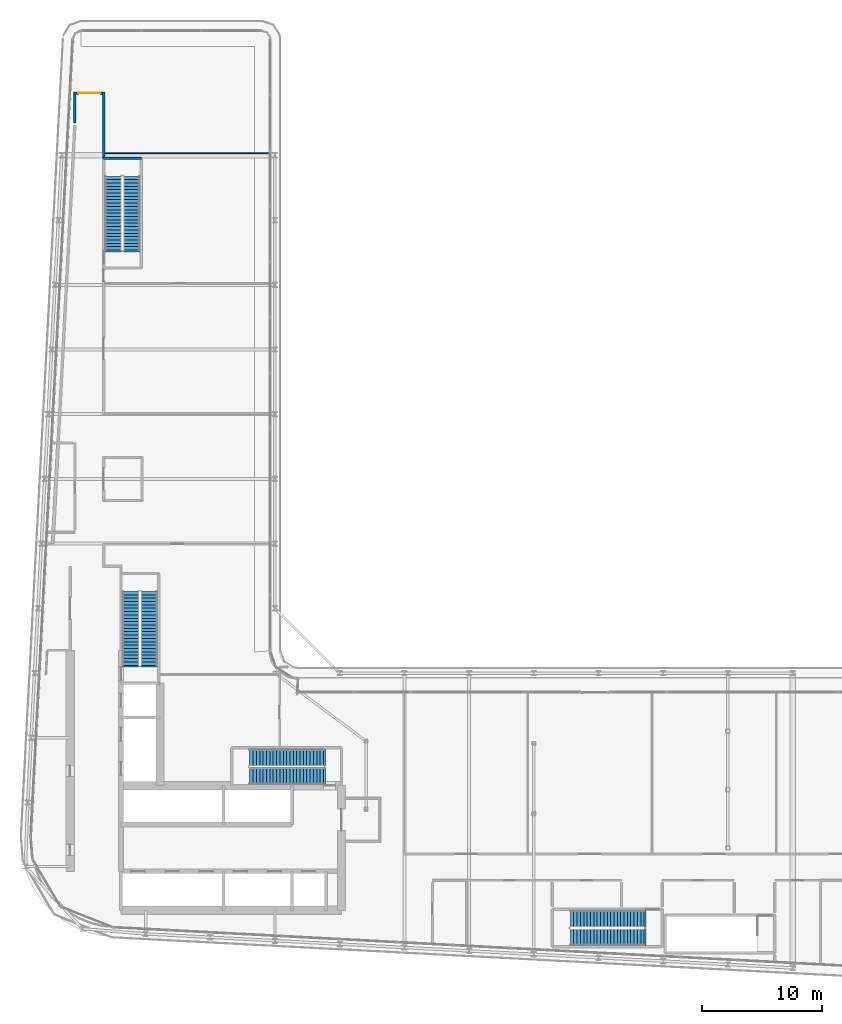
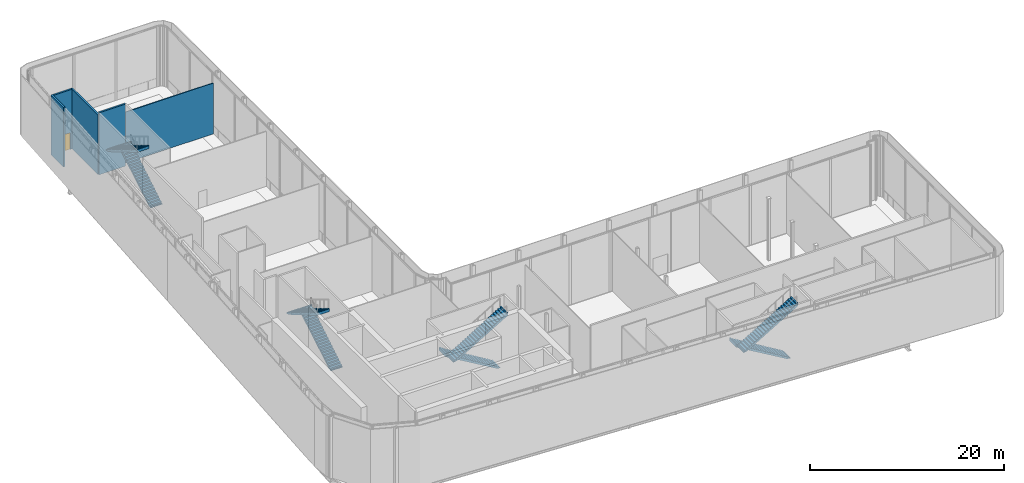
# One storey, part 31 of 38: 8 stair flights, 5 walls, 1 door, 1 opening, 4 elements without a shape of their own.
"""IFC4 building model written with IfcOpenShell, lengths in metres."""

from ifc_helpers import new_model, si_unit, direction, frame, frame_2d, origin, place, context, subcontext, project, spatial, polyline, rectangle, outline, extrude, source, transform, mapped, material, layer, layer_set, type_object, element, fill, aggregate, save


model = new_model("IFC4")

# Units and contexts
model_context = context("Model", 3, precision=1e-05, world=origin(), true_north=direction((0.0, 1.0)))
body_context = subcontext(model_context, "Body", "Model", "MODEL_VIEW")
ifc_project = project(units=[si_unit("LENGTHUNIT", "METRE"), si_unit("AREAUNIT", "SQUARE_METRE"), si_unit("VOLUMEUNIT", "CUBIC_METRE"), si_unit("PLANEANGLEUNIT", "RADIAN"), si_unit("MASSUNIT", "GRAM", prefix="KILO")], contexts=[model_context])

# Site, building, storey
site_placement = place(None, origin())
site = spatial("IfcSite", under=ifc_project, at=site_placement, CompositionType="ELEMENT")
building_placement = place(site_placement, origin())
building = spatial("IfcBuilding", under=site, at=building_placement, Name="Kheshtan School and Residences Tower", CompositionType="ELEMENT")
storey_placement = place(building_placement, frame((0.0, 0.0, 203.300048828125)))
storey = spatial("IfcBuildingStorey", under=building, at=storey_placement, Name="L48", CompositionType="ELEMENT", Elevation=203.300048828125)

# Wall
ifc_material_1 = material(Name="Gypsum board on steel studs with fire boards", Category="steel")
ifc_layer_1 = layer(ifc_material_1, 0.199951171875)
ifc_layer_set_1 = layer_set([ifc_layer_1], Name="Corridor wall 200")
wall_type_1 = type_object("IfcWallType", Name="Corridor wall 200", PredefinedType="PARTITIONING", material=ifc_layer_set_1)
wall_1_placement = place(storey_placement, frame((30.89990234375, 91.511962890625, 0.0), z_axis=(0.0, 0.0, 1.0), x_axis=(0.0, 1.0, 0.0)))
element("IfcWall", 1, at=wall_1_placement, inside=storey, type_object=wall_type_1, Name="Partition L48-008", PredefinedType="PARTITIONING", context=body_context, shape_type="SweptSolid", body=[
    extrude(rectangle(XDim=2.588134765625, YDim=0.199951171875, at=frame_2d((1.2939453125, 0.0))), origin(), (0.0, 0.0, 1.0), 7.5),
])

# Wall, opening, door
wall_2_placement = place(storey_placement, frame((31.0, 94.0, 0.0), z_axis=(0.0, 0.0, 1.0), x_axis=(1.0, 0.0, 0.0)))
wall_2 = element("IfcWall", 2, at=wall_2_placement, inside=storey, type_object=wall_type_1, Name="Partition L48-009", PredefinedType="PARTITIONING", context=body_context, shape_type="SweptSolid", body=[
    extrude(rectangle(XDim=2.199951171875, YDim=0.199951171875, at=frame_2d((1.10009765625, 0.0))), origin(), (0.0, 0.0, 1.0), 7.5),
])
opening_placement = place(wall_2_placement, frame((0.197998046875, 0.0, 0.0)))
opening = element("IfcOpeningElement", 3, at=opening_placement, cuts=wall_2, Name="Opening D48-011", PredefinedType="OPENING", context=body_context, shape_type="SweptSolid", body=[
    extrude(rectangle(XDim=1.800048828125, YDim=2.10009765625, at=frame_2d((0.89990234375, 1.050048828125))), frame((0.0, 0.10986328125, 0.0), z_axis=(0.0, -1.0, 0.0), x_axis=(1.0, 0.0, 0.0)), (0.0, 0.0, 1.0), 0.219970703125),
])
ifc_material_2 = material(Name="Steel-framed fire-resisting door leaf", Category="steel")
door_type = type_object("IfcDoorType", Name="Fire double door FD60 1800 x 2100", OperationType="DOUBLE_DOOR_SINGLE_SWING", PredefinedType="DOOR", material=ifc_material_2)
shared_shape = source(origin(), body_context, "Body", "SweptSolid", [
    extrude(rectangle(XDim=1.800048828125, YDim=2.10009765625, at=frame_2d((0.89990234375, 1.050048828125))), frame((0.0, 0.02490234375, 0.0), z_axis=(0.0, -1.0, 0.0), x_axis=(1.0, 0.0, 0.0)), (0.0, 0.0, 1.0), 0.050048828125),
])
door_placement = place(opening_placement, origin())
door = element("IfcDoor", 4, at=door_placement, inside=storey, type_object=door_type, Name="Door D48-011", OperationType="DOUBLE_DOOR_SINGLE_SWING", OverallHeight=2.10009765625, OverallWidth=1.800048828125, PredefinedType="DOOR", context=body_context, shape_type="MappedRepresentation", body=[
    mapped(shared_shape, transform((0.0, 0.0, 0.0), x_axis=(1.0, 0.0, 0.0), y_axis=(0.0, 1.0, 0.0), z_axis=(0.0, 0.0, 1.0), scale=1.0)),
])
fill(opening, door)

# Walls
wall_3_placement = place(storey_placement, frame((33.300048828125, 88.56005859375, 0.0), z_axis=(0.0, 0.0, 1.0), x_axis=(0.0, 1.0, 0.0)))
element("IfcWall", 5, at=wall_3_placement, inside=storey, type_object=wall_type_1, Name="Partition L48-013", PredefinedType="PARTITIONING", context=body_context, shape_type="SweptSolid", body=[
    extrude(rectangle(XDim=5.5400390625, YDim=0.199951171875, at=frame_2d((2.77001953125, 0.0))), origin(), (0.0, 0.0, 1.0), 7.5),
])
ifc_material_3 = material(Name="Gypsum board on steel studs", Category="steel")
ifc_layer_2 = layer(ifc_material_3, 0.10009765625)
ifc_layer_set_2 = layer_set([ifc_layer_2], Name="Gypsum partition 100")
wall_type_2 = type_object("IfcWallType", Name="Gypsum partition 100", PredefinedType="PARTITIONING", material=ifc_layer_set_2)
wall_4_placement = place(storey_placement, frame((33.39990234375, 88.990966796875, 0.0), z_axis=(0.0, 0.0, 1.0), x_axis=(1.0, 0.0, 0.0)))
element("IfcWall", 6, at=wall_4_placement, inside=storey, type_object=wall_type_2, Name="Partition L48-020", PredefinedType="PARTITIONING", context=body_context, shape_type="SweptSolid", body=[
    extrude(rectangle(XDim=13.77001953125, YDim=0.10009765625, at=frame_2d((6.885009765625, 0.0))), origin(), (0.0, 0.0, 1.0), 6.39990234375),
])
ifc_material_4 = material(Name="Concrete C40/50", Category="concrete")
ifc_layer_3 = layer(ifc_material_4, 0.199951171875)
ifc_layer_set_3 = layer_set([ifc_layer_3], Name="Stair enclosure wall 200 Concrete C40/50")
wall_type_3 = type_object("IfcWallType", Name="Stair enclosure wall 200 Concrete C40/50", PredefinedType="SHEAR", material=ifc_layer_set_3)
wall_5_placement = place(storey_placement, frame((33.300048828125, 88.56005859375, 0.0), z_axis=(0.0, 0.0, 1.0), x_axis=(1.0, 0.0, 0.0)))
element("IfcWall", 7, at=wall_5_placement, inside=storey, type_object=wall_type_3, Name="Stair enclosure wall ST3", PredefinedType="SHEAR", context=body_context, shape_type="SweptSolid", body=[
    extrude(rectangle(XDim=3.14990234375, YDim=0.199951171875, at=frame_2d((1.574951171875, 0.0))), origin(), (0.0, 0.0, 1.0), 7.800048828125),
])

# Stair, stair flights
stair_type = type_object("IfcStairType", Name="Exit stair, half-turn", PredefinedType="HALF_TURN_STAIR", material=ifc_material_4)
stair_1_placement = place(storey_placement, origin())
stair_1 = element("IfcStair", 8, at=stair_1_placement, inside=storey, type_object=stair_type, Name="L48 Protected Exit Stair ST1", PredefinedType="HALF_TURN_STAIR")
ifc_layer_4 = layer(ifc_material_4, 0.14990234375)
ifc_layer_set_4 = layer_set([ifc_layer_4], Name="Stair flight 1400 Concrete C40/50")
stair_flight_type = type_object("IfcStairFlightType", Name="Stair flight 1400 Concrete C40/50", PredefinedType="STRAIGHT", material=ifc_layer_set_4)
stair_flight_1_placement = place(storey_placement, frame((51.64990234375, 38.550048828125, 0.0), z_axis=(0.0, 0.0, 1.0), x_axis=(-1.0, 0.0, 0.0)))
stair_flight_1 = element("IfcStairFlight", 9, at=stair_flight_1_placement, type_object=stair_flight_type, Name="ST1 flight 1", NumberOfRisers=23, NumberOfTreads=22, PredefinedType="STRAIGHT", RiserHeight=0.169565217, TreadLength=0.28, context=body_context, shape_type="SweptSolid", body=[
    extrude(outline(polyline([(-0.14990234375, -0.10009765625), (-0.14990234375, 0.0), (0.0, 0.0), (0.0, 0.169677734375), (0.280029296875, 0.169677734375), (0.280029296875, 0.339111328125), (0.56005859375, 0.339111328125), (0.56005859375, 0.5087890625), (0.840087890625, 0.5087890625), (0.840087890625, 0.67822265625), (1.1201171875, 0.67822265625), (1.1201171875, 0.847900390625), (1.39990234375, 0.847900390625), (1.39990234375, 1.017333984375), (1.679931640625, 1.017333984375), (1.679931640625, 1.18701171875), (1.9599609375, 1.18701171875), (1.9599609375, 1.3564453125), (2.239990234375, 1.3564453125), (2.239990234375, 1.526123046875), (2.52001953125, 1.526123046875), (2.52001953125, 1.695556640625), (2.800048828125, 1.695556640625), (2.800048828125, 1.865234375), (3.080078125, 1.865234375), (3.080078125, 2.03466796875), (3.360107421875, 2.03466796875), (3.360107421875, 2.204345703125), (3.639892578125, 2.204345703125), (3.639892578125, 2.3740234375), (3.919921875, 2.3740234375), (3.919921875, 2.54345703125), (4.199951171875, 2.54345703125), (4.199951171875, 2.713134765625), (4.47998046875, 2.713134765625), (4.47998046875, 2.882568359375), (4.760009765625, 2.882568359375), (4.760009765625, 3.05224609375), (5.0400390625, 3.05224609375), (5.0400390625, 3.2216796875), (5.320068359375, 3.2216796875), (5.320068359375, 3.391357421875), (5.60009765625, 3.391357421875), (5.60009765625, 3.560791015625), (5.8798828125, 3.560791015625), (5.8798828125, 3.73046875), (6.159912109375, 3.73046875), (6.159912109375, 3.89990234375), (6.159912109375, 3.919921875), (6.309814453125, 3.919921875), (6.309814453125, 3.55517578125), (0.289306640625, 0.0), (-0.14990234375, -0.10009765625)])), frame((0.0, 0.699951171875, 0.0), z_axis=(0.0, -1.0, 0.0), x_axis=(1.0, 0.0, 0.0)), (0.0, 0.0, 1.0), 1.39990234375),
])
stair_flight_2_placement = place(storey_placement, frame((45.489990234375, 37.0, 3.89990234375), z_axis=(0.0, 0.0, 1.0), x_axis=(1.0, 0.0, 0.0)))
stair_flight_2 = element("IfcStairFlight", 10, at=stair_flight_2_placement, type_object=stair_flight_type, Name="ST1 flight 2", NumberOfRisers=23, NumberOfTreads=22, PredefinedType="STRAIGHT", RiserHeight=0.169565217, TreadLength=0.28, context=body_context, shape_type="SweptSolid", body=[
    extrude(outline(polyline([(-0.14990234375, -0.10009765625), (-0.14990234375, 0.0), (0.0, 0.0), (0.0, 0.169677734375), (0.280029296875, 0.169677734375), (0.280029296875, 0.339111328125), (0.56005859375, 0.339111328125), (0.56005859375, 0.5087890625), (0.840087890625, 0.5087890625), (0.840087890625, 0.67822265625), (1.1201171875, 0.67822265625), (1.1201171875, 0.847900390625), (1.39990234375, 0.847900390625), (1.39990234375, 1.017333984375), (1.679931640625, 1.017333984375), (1.679931640625, 1.18701171875), (1.9599609375, 1.18701171875), (1.9599609375, 1.3564453125), (2.239990234375, 1.3564453125), (2.239990234375, 1.526123046875), (2.52001953125, 1.526123046875), (2.52001953125, 1.695556640625), (2.800048828125, 1.695556640625), (2.800048828125, 1.865234375), (3.080078125, 1.865234375), (3.080078125, 2.03466796875), (3.360107421875, 2.03466796875), (3.360107421875, 2.204345703125), (3.639892578125, 2.204345703125), (3.639892578125, 2.3740234375), (3.919921875, 2.3740234375), (3.919921875, 2.54345703125), (4.199951171875, 2.54345703125), (4.199951171875, 2.713134765625), (4.47998046875, 2.713134765625), (4.47998046875, 2.882568359375), (4.760009765625, 2.882568359375), (4.760009765625, 3.05224609375), (5.0400390625, 3.05224609375), (5.0400390625, 3.2216796875), (5.320068359375, 3.2216796875), (5.320068359375, 3.391357421875), (5.60009765625, 3.391357421875), (5.60009765625, 3.560791015625), (5.8798828125, 3.560791015625), (5.8798828125, 3.73046875), (6.159912109375, 3.73046875), (6.159912109375, 3.89990234375), (6.159912109375, 3.919921875), (6.309814453125, 3.919921875), (6.309814453125, 3.55517578125), (0.289306640625, 0.0), (-0.14990234375, -0.10009765625)])), frame((0.0, 0.699951171875, 0.0), z_axis=(0.0, -1.0, 0.0), x_axis=(1.0, 0.0, 0.0)), (0.0, 0.0, 1.0), 1.39990234375),
])
aggregate(stair_1, [stair_flight_1, stair_flight_2])

stair_2_placement = place(storey_placement, origin())
stair_2 = element("IfcStair", 11, at=stair_2_placement, inside=storey, type_object=stair_type, Name="L48 Protected Exit Stair ST2", PredefinedType="HALF_TURN_STAIR")
stair_flight_3_placement = place(storey_placement, frame((37.10009765625, 46.25, 0.0), z_axis=(0.0, 0.0, 1.0), x_axis=(0.0, 1.0, 0.0)))
stair_flight_3 = element("IfcStairFlight", 12, at=stair_flight_3_placement, type_object=stair_flight_type, Name="ST2 flight 1", NumberOfRisers=23, NumberOfTreads=22, PredefinedType="STRAIGHT", RiserHeight=0.169565217, TreadLength=0.28, context=body_context, shape_type="SweptSolid", body=[
    extrude(outline(polyline([(-0.14990234375, -0.10009765625), (-0.14990234375, 0.0), (0.0, 0.0), (0.0, 0.169677734375), (0.280029296875, 0.169677734375), (0.280029296875, 0.339111328125), (0.56005859375, 0.339111328125), (0.56005859375, 0.5087890625), (0.840087890625, 0.5087890625), (0.840087890625, 0.67822265625), (1.1201171875, 0.67822265625), (1.1201171875, 0.847900390625), (1.39990234375, 0.847900390625), (1.39990234375, 1.017333984375), (1.679931640625, 1.017333984375), (1.679931640625, 1.18701171875), (1.9599609375, 1.18701171875), (1.9599609375, 1.3564453125), (2.239990234375, 1.3564453125), (2.239990234375, 1.526123046875), (2.52001953125, 1.526123046875), (2.52001953125, 1.695556640625), (2.800048828125, 1.695556640625), (2.800048828125, 1.865234375), (3.080078125, 1.865234375), (3.080078125, 2.03466796875), (3.360107421875, 2.03466796875), (3.360107421875, 2.204345703125), (3.639892578125, 2.204345703125), (3.639892578125, 2.3740234375), (3.919921875, 2.3740234375), (3.919921875, 2.54345703125), (4.199951171875, 2.54345703125), (4.199951171875, 2.713134765625), (4.47998046875, 2.713134765625), (4.47998046875, 2.882568359375), (4.760009765625, 2.882568359375), (4.760009765625, 3.05224609375), (5.0400390625, 3.05224609375), (5.0400390625, 3.2216796875), (5.320068359375, 3.2216796875), (5.320068359375, 3.391357421875), (5.60009765625, 3.391357421875), (5.60009765625, 3.560791015625), (5.8798828125, 3.560791015625), (5.8798828125, 3.73046875), (6.159912109375, 3.73046875), (6.159912109375, 3.89990234375), (6.159912109375, 3.919921875), (6.309814453125, 3.919921875), (6.309814453125, 3.55517578125), (0.289306640625, 0.0), (-0.14990234375, -0.10009765625)])), frame((0.0, 0.699951171875, 0.0), z_axis=(0.0, -1.0, 0.0), x_axis=(1.0, 0.0, 0.0)), (0.0, 0.0, 1.0), 1.39990234375),
])
stair_flight_4_placement = place(storey_placement, frame((35.550048828125, 52.409912109375, 3.89990234375), z_axis=(0.0, 0.0, 1.0), x_axis=(0.0, -1.0, 0.0)))
stair_flight_4 = element("IfcStairFlight", 13, at=stair_flight_4_placement, type_object=stair_flight_type, Name="ST2 flight 2", NumberOfRisers=23, NumberOfTreads=22, PredefinedType="STRAIGHT", RiserHeight=0.169565217, TreadLength=0.28, context=body_context, shape_type="SweptSolid", body=[
    extrude(outline(polyline([(-0.14990234375, -0.10009765625), (-0.14990234375, 0.0), (0.0, 0.0), (0.0, 0.169677734375), (0.280029296875, 0.169677734375), (0.280029296875, 0.339111328125), (0.56005859375, 0.339111328125), (0.56005859375, 0.5087890625), (0.840087890625, 0.5087890625), (0.840087890625, 0.67822265625), (1.1201171875, 0.67822265625), (1.1201171875, 0.847900390625), (1.39990234375, 0.847900390625), (1.39990234375, 1.017333984375), (1.679931640625, 1.017333984375), (1.679931640625, 1.18701171875), (1.9599609375, 1.18701171875), (1.9599609375, 1.3564453125), (2.239990234375, 1.3564453125), (2.239990234375, 1.526123046875), (2.52001953125, 1.526123046875), (2.52001953125, 1.695556640625), (2.800048828125, 1.695556640625), (2.800048828125, 1.865234375), (3.080078125, 1.865234375), (3.080078125, 2.03466796875), (3.360107421875, 2.03466796875), (3.360107421875, 2.204345703125), (3.639892578125, 2.204345703125), (3.639892578125, 2.3740234375), (3.919921875, 2.3740234375), (3.919921875, 2.54345703125), (4.199951171875, 2.54345703125), (4.199951171875, 2.713134765625), (4.47998046875, 2.713134765625), (4.47998046875, 2.882568359375), (4.760009765625, 2.882568359375), (4.760009765625, 3.05224609375), (5.0400390625, 3.05224609375), (5.0400390625, 3.2216796875), (5.320068359375, 3.2216796875), (5.320068359375, 3.391357421875), (5.60009765625, 3.391357421875), (5.60009765625, 3.560791015625), (5.8798828125, 3.560791015625), (5.8798828125, 3.73046875), (6.159912109375, 3.73046875), (6.159912109375, 3.89990234375), (6.159912109375, 3.919921875), (6.309814453125, 3.919921875), (6.309814453125, 3.55517578125), (0.289306640625, 0.0), (-0.14990234375, -0.10009765625)])), frame((0.0, 0.699951171875, 0.0), z_axis=(0.0, -1.0, 0.0), x_axis=(1.0, 0.0, 0.0)), (0.0, 0.0, 1.0), 1.39990234375),
])
aggregate(stair_2, [stair_flight_3, stair_flight_4])

stair_3_placement = place(storey_placement, origin())
stair_3 = element("IfcStair", 14, at=stair_3_placement, inside=storey, type_object=stair_type, Name="L48 Protected Exit Stair ST3", PredefinedType="HALF_TURN_STAIR")
stair_flight_5_placement = place(storey_placement, frame((35.64990234375, 80.89990234375, 0.0), z_axis=(0.0, 0.0, 1.0), x_axis=(0.0, 1.0, 0.0)))
stair_flight_5 = element("IfcStairFlight", 15, at=stair_flight_5_placement, type_object=stair_flight_type, Name="ST3 flight 1", NumberOfRisers=23, NumberOfTreads=22, PredefinedType="STRAIGHT", RiserHeight=0.169565217, TreadLength=0.28, context=body_context, shape_type="SweptSolid", body=[
    extrude(outline(polyline([(-0.14990234375, -0.10009765625), (-0.14990234375, 0.0), (0.0, 0.0), (0.0, 0.169677734375), (0.280029296875, 0.169677734375), (0.280029296875, 0.339111328125), (0.56005859375, 0.339111328125), (0.56005859375, 0.5087890625), (0.840087890625, 0.5087890625), (0.840087890625, 0.67822265625), (1.1201171875, 0.67822265625), (1.1201171875, 0.847900390625), (1.39990234375, 0.847900390625), (1.39990234375, 1.017333984375), (1.679931640625, 1.017333984375), (1.679931640625, 1.18701171875), (1.9599609375, 1.18701171875), (1.9599609375, 1.3564453125), (2.239990234375, 1.3564453125), (2.239990234375, 1.526123046875), (2.52001953125, 1.526123046875), (2.52001953125, 1.695556640625), (2.800048828125, 1.695556640625), (2.800048828125, 1.865234375), (3.080078125, 1.865234375), (3.080078125, 2.03466796875), (3.360107421875, 2.03466796875), (3.360107421875, 2.204345703125), (3.639892578125, 2.204345703125), (3.639892578125, 2.3740234375), (3.919921875, 2.3740234375), (3.919921875, 2.54345703125), (4.199951171875, 2.54345703125), (4.199951171875, 2.713134765625), (4.47998046875, 2.713134765625), (4.47998046875, 2.882568359375), (4.760009765625, 2.882568359375), (4.760009765625, 3.05224609375), (5.0400390625, 3.05224609375), (5.0400390625, 3.2216796875), (5.320068359375, 3.2216796875), (5.320068359375, 3.391357421875), (5.60009765625, 3.391357421875), (5.60009765625, 3.560791015625), (5.8798828125, 3.560791015625), (5.8798828125, 3.73046875), (6.159912109375, 3.73046875), (6.159912109375, 3.89990234375), (6.159912109375, 3.919921875), (6.309814453125, 3.919921875), (6.309814453125, 3.55517578125), (0.289306640625, 0.0), (-0.14990234375, -0.10009765625)])), frame((0.0, 0.699951171875, 0.0), z_axis=(0.0, -1.0, 0.0), x_axis=(1.0, 0.0, 0.0)), (0.0, 0.0, 1.0), 1.39990234375),
])
stair_flight_6_placement = place(storey_placement, frame((34.10009765625, 87.06005859375, 3.89990234375), z_axis=(0.0, 0.0, 1.0), x_axis=(0.0, -1.0, 0.0)))
stair_flight_6 = element("IfcStairFlight", 16, at=stair_flight_6_placement, type_object=stair_flight_type, Name="ST3 flight 2", NumberOfRisers=23, NumberOfTreads=22, PredefinedType="STRAIGHT", RiserHeight=0.169565217, TreadLength=0.28, context=body_context, shape_type="SweptSolid", body=[
    extrude(outline(polyline([(-0.14990234375, -0.10009765625), (-0.14990234375, 0.0), (0.0, 0.0), (0.0, 0.169677734375), (0.280029296875, 0.169677734375), (0.280029296875, 0.339111328125), (0.56005859375, 0.339111328125), (0.56005859375, 0.5087890625), (0.840087890625, 0.5087890625), (0.840087890625, 0.67822265625), (1.1201171875, 0.67822265625), (1.1201171875, 0.847900390625), (1.39990234375, 0.847900390625), (1.39990234375, 1.017333984375), (1.679931640625, 1.017333984375), (1.679931640625, 1.18701171875), (1.9599609375, 1.18701171875), (1.9599609375, 1.3564453125), (2.239990234375, 1.3564453125), (2.239990234375, 1.526123046875), (2.52001953125, 1.526123046875), (2.52001953125, 1.695556640625), (2.800048828125, 1.695556640625), (2.800048828125, 1.865234375), (3.080078125, 1.865234375), (3.080078125, 2.03466796875), (3.360107421875, 2.03466796875), (3.360107421875, 2.204345703125), (3.639892578125, 2.204345703125), (3.639892578125, 2.3740234375), (3.919921875, 2.3740234375), (3.919921875, 2.54345703125), (4.199951171875, 2.54345703125), (4.199951171875, 2.713134765625), (4.47998046875, 2.713134765625), (4.47998046875, 2.882568359375), (4.760009765625, 2.882568359375), (4.760009765625, 3.05224609375), (5.0400390625, 3.05224609375), (5.0400390625, 3.2216796875), (5.320068359375, 3.2216796875), (5.320068359375, 3.391357421875), (5.60009765625, 3.391357421875), (5.60009765625, 3.560791015625), (5.8798828125, 3.560791015625), (5.8798828125, 3.73046875), (6.159912109375, 3.73046875), (6.159912109375, 3.89990234375), (6.159912109375, 3.919921875), (6.309814453125, 3.919921875), (6.309814453125, 3.55517578125), (0.289306640625, 0.0), (-0.14990234375, -0.10009765625)])), frame((0.0, 0.699951171875, 0.0), z_axis=(0.0, -1.0, 0.0), x_axis=(1.0, 0.0, 0.0)), (0.0, 0.0, 1.0), 1.39990234375),
])
aggregate(stair_3, [stair_flight_5, stair_flight_6])

stair_4_placement = place(storey_placement, origin())
stair_4 = element("IfcStair", 17, at=stair_4_placement, inside=storey, type_object=stair_type, Name="L48 Protected Exit Stair ST5", PredefinedType="HALF_TURN_STAIR")
stair_flight_7_placement = place(storey_placement, frame((78.409912109375, 25.10009765625, 0.0), z_axis=(0.0, 0.0, 1.0), x_axis=(-1.0, 0.0, 0.0)))
stair_flight_7 = element("IfcStairFlight", 18, at=stair_flight_7_placement, type_object=stair_flight_type, Name="ST5 flight 1", NumberOfRisers=23, NumberOfTreads=22, PredefinedType="STRAIGHT", RiserHeight=0.169565217, TreadLength=0.28, context=body_context, shape_type="SweptSolid", body=[
    extrude(outline(polyline([(-0.14990234375, -0.10009765625), (-0.14990234375, 0.0), (0.0, 0.0), (0.0, 0.169677734375), (0.280029296875, 0.169677734375), (0.280029296875, 0.339111328125), (0.56005859375, 0.339111328125), (0.56005859375, 0.5087890625), (0.840087890625, 0.5087890625), (0.840087890625, 0.67822265625), (1.1201171875, 0.67822265625), (1.1201171875, 0.847900390625), (1.39990234375, 0.847900390625), (1.39990234375, 1.017333984375), (1.679931640625, 1.017333984375), (1.679931640625, 1.18701171875), (1.9599609375, 1.18701171875), (1.9599609375, 1.3564453125), (2.239990234375, 1.3564453125), (2.239990234375, 1.526123046875), (2.52001953125, 1.526123046875), (2.52001953125, 1.695556640625), (2.800048828125, 1.695556640625), (2.800048828125, 1.865234375), (3.080078125, 1.865234375), (3.080078125, 2.03466796875), (3.360107421875, 2.03466796875), (3.360107421875, 2.204345703125), (3.639892578125, 2.204345703125), (3.639892578125, 2.3740234375), (3.919921875, 2.3740234375), (3.919921875, 2.54345703125), (4.199951171875, 2.54345703125), (4.199951171875, 2.713134765625), (4.47998046875, 2.713134765625), (4.47998046875, 2.882568359375), (4.760009765625, 2.882568359375), (4.760009765625, 3.05224609375), (5.0400390625, 3.05224609375), (5.0400390625, 3.2216796875), (5.320068359375, 3.2216796875), (5.320068359375, 3.391357421875), (5.60009765625, 3.391357421875), (5.60009765625, 3.560791015625), (5.8798828125, 3.560791015625), (5.8798828125, 3.73046875), (6.159912109375, 3.73046875), (6.159912109375, 3.89990234375), (6.159912109375, 3.919921875), (6.309814453125, 3.919921875), (6.309814453125, 3.55517578125), (0.289306640625, 0.0), (-0.14990234375, -0.10009765625)])), frame((0.0, 0.699951171875, 0.0), z_axis=(0.0, -1.0, 0.0), x_axis=(1.0, 0.0, 0.0)), (0.0, 0.0, 1.0), 1.39990234375),
])
stair_flight_8_placement = place(storey_placement, frame((72.25, 23.550048828125, 3.89990234375), z_axis=(0.0, 0.0, 1.0), x_axis=(1.0, 0.0, 0.0)))
stair_flight_8 = element("IfcStairFlight", 19, at=stair_flight_8_placement, type_object=stair_flight_type, Name="ST5 flight 2", NumberOfRisers=23, NumberOfTreads=22, PredefinedType="STRAIGHT", RiserHeight=0.169565217, TreadLength=0.28, context=body_context, shape_type="SweptSolid", body=[
    extrude(outline(polyline([(-0.14990234375, -0.10009765625), (-0.14990234375, 0.0), (0.0, 0.0), (0.0, 0.169677734375), (0.280029296875, 0.169677734375), (0.280029296875, 0.339111328125), (0.56005859375, 0.339111328125), (0.56005859375, 0.5087890625), (0.840087890625, 0.5087890625), (0.840087890625, 0.67822265625), (1.1201171875, 0.67822265625), (1.1201171875, 0.847900390625), (1.39990234375, 0.847900390625), (1.39990234375, 1.017333984375), (1.679931640625, 1.017333984375), (1.679931640625, 1.18701171875), (1.9599609375, 1.18701171875), (1.9599609375, 1.3564453125), (2.239990234375, 1.3564453125), (2.239990234375, 1.526123046875), (2.52001953125, 1.526123046875), (2.52001953125, 1.695556640625), (2.800048828125, 1.695556640625), (2.800048828125, 1.865234375), (3.080078125, 1.865234375), (3.080078125, 2.03466796875), (3.360107421875, 2.03466796875), (3.360107421875, 2.204345703125), (3.639892578125, 2.204345703125), (3.639892578125, 2.3740234375), (3.919921875, 2.3740234375), (3.919921875, 2.54345703125), (4.199951171875, 2.54345703125), (4.199951171875, 2.713134765625), (4.47998046875, 2.713134765625), (4.47998046875, 2.882568359375), (4.760009765625, 2.882568359375), (4.760009765625, 3.05224609375), (5.0400390625, 3.05224609375), (5.0400390625, 3.2216796875), (5.320068359375, 3.2216796875), (5.320068359375, 3.391357421875), (5.60009765625, 3.391357421875), (5.60009765625, 3.560791015625), (5.8798828125, 3.560791015625), (5.8798828125, 3.73046875), (6.159912109375, 3.73046875), (6.159912109375, 3.89990234375), (6.159912109375, 3.919921875), (6.309814453125, 3.919921875), (6.309814453125, 3.55517578125), (0.289306640625, 0.0), (-0.14990234375, -0.10009765625)])), frame((0.0, 0.699951171875, 0.0), z_axis=(0.0, -1.0, 0.0), x_axis=(1.0, 0.0, 0.0)), (0.0, 0.0, 1.0), 1.39990234375),
])
aggregate(stair_4, [stair_flight_7, stair_flight_8])

save(model, "model.ifc")
